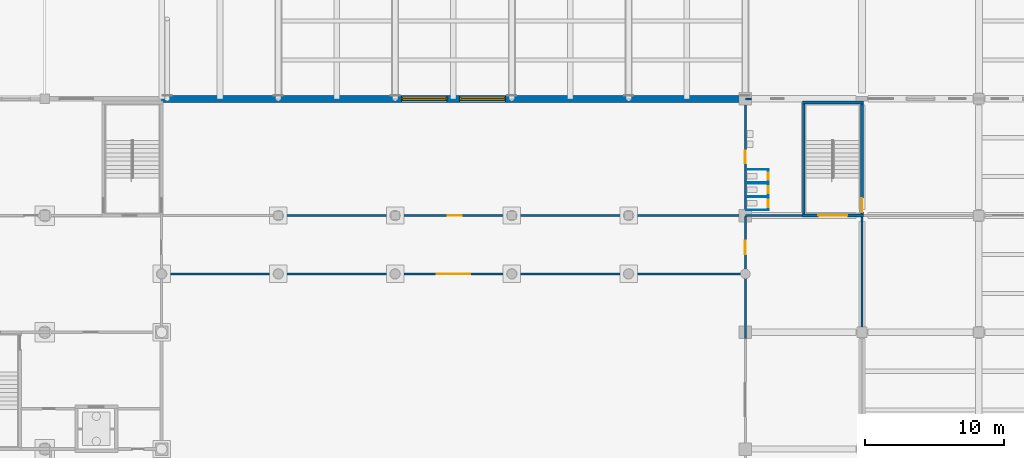
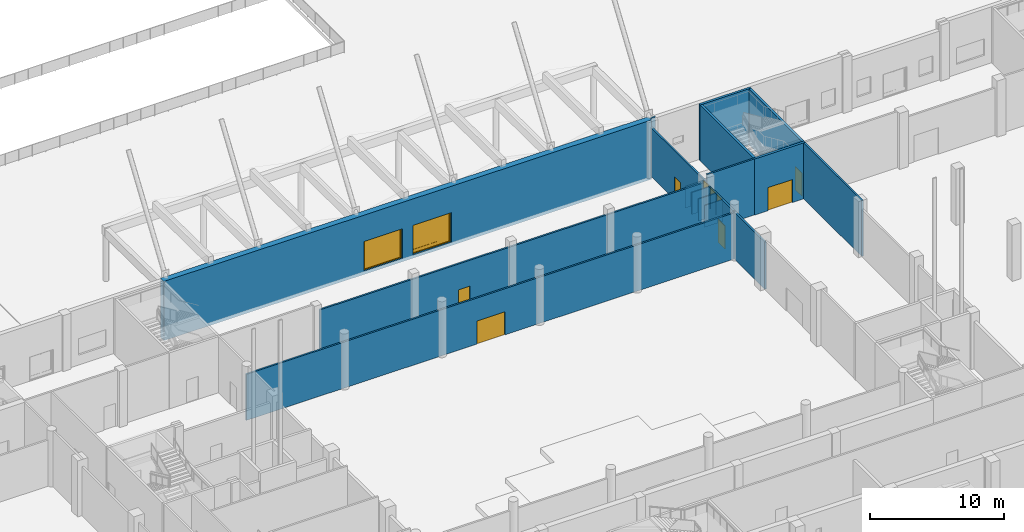
# One storey, part 31 of 74: 22 walls, 11 doors, 11 openings.
"""IFC4 building model written with IfcOpenShell, lengths in metres."""

from ifc_helpers import new_model, si_unit, direction, frame, frame_2d, origin, place, context, subcontext, project, spatial, rectangle, extrude, material, layer, layer_set, type_object, element, fill, save


model = new_model("IFC4")

# Units and contexts
model_context = context("Model", 3, precision=1e-05, world=origin(), true_north=direction((0.0, 1.0)))
body_context = subcontext(model_context, "Body", "Model", "MODEL_VIEW")
ifc_project = project(units=[si_unit("LENGTHUNIT", "METRE"), si_unit("AREAUNIT", "SQUARE_METRE"), si_unit("VOLUMEUNIT", "CUBIC_METRE"), si_unit("PLANEANGLEUNIT", "RADIAN"), si_unit("MASSUNIT", "GRAM", prefix="KILO")], contexts=[model_context])

# Site, building, storey
site_placement = place(None, origin())
site = spatial("IfcSite", under=ifc_project, at=site_placement, CompositionType="ELEMENT")
building_placement = place(site_placement, origin())
building = spatial("IfcBuilding", under=site, at=building_placement, Name="Rulbaag Community and Learning Centre", CompositionType="ELEMENT")
storey_placement = place(building_placement, origin())
storey = spatial("IfcBuildingStorey", under=building, at=storey_placement, Name="L00", CompositionType="ELEMENT", Elevation=0.0)

# Walls
ifc_material_1 = material(Name="High pressure laminate", Category="wood")
ifc_layer_1 = layer(ifc_material_1, 0.0400390625)
ifc_layer_set_1 = layer_set([ifc_layer_1], Name="CP-40")
wall_type_1 = type_object("IfcWallType", Name="CP-40", PredefinedType="PARTITIONING", material=ifc_layer_set_1)
for number, where, z_axis, x_axis, name in (
    (1, (84.074951171875, 42.39990234375, 0.0), (0.0, 0.0, 1.0), (1.0, 0.0, 0.0), "Cubicle partition"),
    (2, (84.074951171875, 43.340087890625, 0.0), (0.0, 0.0, 1.0), (1.0, 0.0, 0.0), "Cubicle partition"),
):
    element("IfcWall", number, at=place(storey_placement, frame(where, z_axis=z_axis, x_axis=x_axis)), inside=storey, type_object=wall_type_1, Name=name, PredefinedType="PARTITIONING", context=body_context, shape_type="SweptSolid", body=[
        extrude(rectangle(XDim=1.594970703125, YDim=0.0400390625, at=frame_2d((0.79736328125, 0.0))), origin(), (0.0, 0.0, 1.0), 2.0),
    ])

# Wall, opening, door
wall_1_placement = place(storey_placement, frame((85.64990234375, 42.419921875, 0.0), z_axis=(0.0, 0.0, 1.0), x_axis=(0.0, 1.0, 0.0)))
wall_1 = element("IfcWall", 3, at=wall_1_placement, inside=storey, type_object=wall_type_1, Name="Cubicle partition", PredefinedType="PARTITIONING", context=body_context, shape_type="SweptSolid", body=[
    extrude(rectangle(XDim=0.900146484375, YDim=0.0400390625, at=frame_2d((0.4501953125, 0.0))), origin(), (0.0, 0.0, 1.0), 2.0),
])
opening_1_placement = place(wall_1_placement, frame((0.050048828125, 0.0, 0.0)))
opening_1 = element("IfcOpeningElement", 4, at=opening_1_placement, cuts=wall_1, Name="Opening L00-D081", PredefinedType="OPENING", context=body_context, shape_type="SweptSolid", body=[
    extrude(rectangle(XDim=0.800048828125, YDim=2.0, at=frame_2d((0.39990234375, 1.0))), frame((0.0, 0.030029296875, 0.0), z_axis=(0.0, -1.0, 0.0), x_axis=(1.0, 0.0, 0.0)), (0.0, 0.0, 1.0), 0.06005859375),
])
door_type_1 = type_object("IfcDoorType", Name="DC-80", OperationType="SINGLE_SWING_LEFT", PredefinedType="DOOR", material=ifc_material_1)
door_1_placement = place(opening_1_placement, origin())
door_1 = element("IfcDoor", 5, at=door_1_placement, inside=storey, type_object=door_type_1, Name="Cubicle door", OperationType="SINGLE_SWING_LEFT", OverallHeight=2.0, OverallWidth=0.800048828125, PredefinedType="DOOR", context=body_context, shape_type="SweptSolid", body=[
    extrude(rectangle(XDim=0.800048828125, YDim=2.0, at=frame_2d((0.39990234375, 1.0))), frame((0.0, 0.019775390625, 0.0), z_axis=(0.0, -1.0, 0.0), x_axis=(1.0, 0.0, 0.0)), (0.0, 0.0, 1.0), 0.03955078125),
])
fill(opening_1, door_1)

# Walls
for number, where, z_axis, x_axis, name in (
    (6, (84.074951171875, 43.3798828125, 0.0), (0.0, 0.0, 1.0), (1.0, 0.0, 0.0), "Cubicle partition"),
    (7, (84.074951171875, 44.320068359375, 0.0), (0.0, 0.0, 1.0), (1.0, 0.0, 0.0), "Cubicle partition"),
):
    element("IfcWall", number, at=place(storey_placement, frame(where, z_axis=z_axis, x_axis=x_axis)), inside=storey, type_object=wall_type_1, Name=name, PredefinedType="PARTITIONING", context=body_context, shape_type="SweptSolid", body=[
        extrude(rectangle(XDim=1.594970703125, YDim=0.0400390625, at=frame_2d((0.79736328125, 0.0))), origin(), (0.0, 0.0, 1.0), 2.0),
    ])

# Wall, opening, door
wall_2_placement = place(storey_placement, frame((85.64990234375, 43.39990234375, 0.0), z_axis=(0.0, 0.0, 1.0), x_axis=(0.0, 1.0, 0.0)))
wall_2 = element("IfcWall", 8, at=wall_2_placement, inside=storey, type_object=wall_type_1, Name="Cubicle partition", PredefinedType="PARTITIONING", context=body_context, shape_type="SweptSolid", body=[
    extrude(rectangle(XDim=0.900146484375, YDim=0.0400390625, at=frame_2d((0.4501953125, 0.0))), origin(), (0.0, 0.0, 1.0), 2.0),
])
opening_2_placement = place(wall_2_placement, frame((0.050048828125, 0.0, 0.0)))
opening_2 = element("IfcOpeningElement", 9, at=opening_2_placement, cuts=wall_2, Name="Opening L00-D082", PredefinedType="OPENING", context=body_context, shape_type="SweptSolid", body=[
    extrude(rectangle(XDim=0.800048828125, YDim=2.0, at=frame_2d((0.39990234375, 1.0))), frame((0.0, 0.030029296875, 0.0), z_axis=(0.0, -1.0, 0.0), x_axis=(1.0, 0.0, 0.0)), (0.0, 0.0, 1.0), 0.06005859375),
])
door_2_placement = place(opening_2_placement, origin())
door_2 = element("IfcDoor", 10, at=door_2_placement, inside=storey, type_object=door_type_1, Name="Cubicle door", OperationType="SINGLE_SWING_LEFT", OverallHeight=2.0, OverallWidth=0.800048828125, PredefinedType="DOOR", context=body_context, shape_type="SweptSolid", body=[
    extrude(rectangle(XDim=0.800048828125, YDim=2.0, at=frame_2d((0.39990234375, 1.0))), frame((0.0, 0.019775390625, 0.0), z_axis=(0.0, -1.0, 0.0), x_axis=(1.0, 0.0, 0.0)), (0.0, 0.0, 1.0), 0.03955078125),
])
fill(opening_2, door_2)

# Walls
for number, where, z_axis, x_axis, name in (
    (11, (84.074951171875, 44.360107421875, 0.0), (0.0, 0.0, 1.0), (1.0, 0.0, 0.0), "Cubicle partition"),
    (12, (84.074951171875, 45.300048828125, 0.0), (0.0, 0.0, 1.0), (1.0, 0.0, 0.0), "Cubicle partition"),
):
    element("IfcWall", number, at=place(storey_placement, frame(where, z_axis=z_axis, x_axis=x_axis)), inside=storey, type_object=wall_type_1, Name=name, PredefinedType="PARTITIONING", context=body_context, shape_type="SweptSolid", body=[
        extrude(rectangle(XDim=1.594970703125, YDim=0.0400390625, at=frame_2d((0.79736328125, 0.0))), origin(), (0.0, 0.0, 1.0), 2.0),
    ])

# Wall, opening, door
wall_3_placement = place(storey_placement, frame((85.64990234375, 44.3798828125, 0.0), z_axis=(0.0, 0.0, 1.0), x_axis=(0.0, 1.0, 0.0)))
wall_3 = element("IfcWall", 13, at=wall_3_placement, inside=storey, type_object=wall_type_1, Name="Cubicle partition", PredefinedType="PARTITIONING", context=body_context, shape_type="SweptSolid", body=[
    extrude(rectangle(XDim=0.900146484375, YDim=0.0400390625, at=frame_2d((0.4501953125, 0.0))), origin(), (0.0, 0.0, 1.0), 2.0),
])
opening_3_placement = place(wall_3_placement, frame((0.050048828125, 0.0, 0.0)))
opening_3 = element("IfcOpeningElement", 14, at=opening_3_placement, cuts=wall_3, Name="Opening L00-D083", PredefinedType="OPENING", context=body_context, shape_type="SweptSolid", body=[
    extrude(rectangle(XDim=0.800048828125, YDim=2.0, at=frame_2d((0.39990234375, 1.0))), frame((0.0, 0.030029296875, 0.0), z_axis=(0.0, -1.0, 0.0), x_axis=(1.0, 0.0, 0.0)), (0.0, 0.0, 1.0), 0.06005859375),
])
door_3_placement = place(opening_3_placement, origin())
door_3 = element("IfcDoor", 15, at=door_3_placement, inside=storey, type_object=door_type_1, Name="Cubicle door", OperationType="SINGLE_SWING_LEFT", OverallHeight=2.0, OverallWidth=0.800048828125, PredefinedType="DOOR", context=body_context, shape_type="SweptSolid", body=[
    extrude(rectangle(XDim=0.800048828125, YDim=2.0, at=frame_2d((0.39990234375, 1.0))), frame((0.0, 0.019775390625, 0.0), z_axis=(0.0, -1.0, 0.0), x_axis=(1.0, 0.0, 0.0)), (0.0, 0.0, 1.0), 0.03955078125),
])
fill(opening_3, door_3)

ifc_material_2 = material(Name="Concrete blockwork", Category="masonry")
ifc_layer_2 = layer(ifc_material_2, 0.14990234375)
ifc_layer_set_2 = layer_set([ifc_layer_2], Name="IP-150 PARTITION 150")
wall_type_2 = type_object("IfcWallType", Name="IP-150 PARTITION 150", PredefinedType="PARTITIONING", material=ifc_layer_set_2)
wall_4_placement = place(storey_placement, frame((41.925048828125, 37.800048828125, 0.0), z_axis=(0.0, 0.0, 1.0), x_axis=(1.0, 0.0, 0.0)))
wall_4 = element("IfcWall", 16, at=wall_4_placement, inside=storey, type_object=wall_type_2, Name="Partition L00 27", PredefinedType="PARTITIONING", context=body_context, shape_type="SweptSolid", body=[
    extrude(rectangle(XDim=42.14990234375, YDim=0.14990234375, at=frame_2d((21.074951171875, 0.0))), origin(), (0.0, 0.0, 1.0), 4.199951171875),
])
opening_4_placement = place(wall_4_placement, frame((19.875, 0.0, 0.0)))
opening_4 = element("IfcOpeningElement", 17, at=opening_4_placement, cuts=wall_4, Name="Opening L00-D069", PredefinedType="OPENING", context=body_context, shape_type="SweptSolid", body=[
    extrude(rectangle(XDim=2.39990234375, YDim=2.10009765625, at=frame_2d((1.199951171875, 1.050048828125))), frame((0.0, 0.0849609375, 0.0), z_axis=(0.0, -1.0, 0.0), x_axis=(1.0, 0.0, 0.0)), (0.0, 0.0, 1.0), 0.169921875),
])
ifc_material_3 = material(Name="Timber", Category="wood")
door_type_2 = type_object("IfcDoorType", Name="DA-2400 ASSEMBLY DOUBLE DOOR 2400 x 2100", OperationType="DOUBLE_DOOR_SINGLE_SWING", PredefinedType="DOOR", material=ifc_material_3)
door_4_placement = place(opening_4_placement, origin())
door_4 = element("IfcDoor", 18, at=door_4_placement, inside=storey, type_object=door_type_2, Name="Door L00-D069", OperationType="DOUBLE_DOOR_SINGLE_SWING", OverallHeight=2.10009765625, OverallWidth=2.39990234375, PredefinedType="DOOR", context=body_context, shape_type="SweptSolid", body=[
    extrude(rectangle(XDim=2.39990234375, YDim=2.10009765625, at=frame_2d((1.199951171875, 1.050048828125))), frame((0.0, 0.02490234375, 0.0), z_axis=(0.0, -1.0, 0.0), x_axis=(1.0, 0.0, 0.0)), (0.0, 0.0, 1.0), 0.050048828125),
])
fill(opening_4, door_4)

wall_5_placement = place(storey_placement, frame((50.679931640625, 42.0, 0.0), z_axis=(0.0, 0.0, 1.0), x_axis=(1.0, 0.0, 0.0)))
wall_5 = element("IfcWall", 19, at=wall_5_placement, inside=storey, type_object=wall_type_2, Name="Partition L00 29.2", PredefinedType="PARTITIONING", context=body_context, shape_type="SweptSolid", body=[
    extrude(rectangle(XDim=33.320068359375, YDim=0.14990234375, at=frame_2d((16.66015625, 0.0))), origin(), (0.0, 0.0, 1.0), 4.449951171875),
])
opening_5_placement = place(wall_5_placement, frame((11.919921875, 0.0, 0.0)))
opening_5 = element("IfcOpeningElement", 20, at=opening_5_placement, cuts=wall_5, Name="Opening L00-D071", PredefinedType="OPENING", context=body_context, shape_type="SweptSolid", body=[
    extrude(rectangle(XDim=1.0, YDim=2.10009765625, at=frame_2d((0.5, 1.050048828125))), frame((0.0, 0.0849609375, 0.0), z_axis=(0.0, -1.0, 0.0), x_axis=(1.0, 0.0, 0.0)), (0.0, 0.0, 1.0), 0.169921875),
])
door_type_3 = type_object("IfcDoorType", Name="D-1000 DOOR 1000 x 2100", OperationType="SINGLE_SWING_LEFT", PredefinedType="DOOR", material=ifc_material_3)
door_5_placement = place(opening_5_placement, origin())
door_5 = element("IfcDoor", 21, at=door_5_placement, inside=storey, type_object=door_type_3, Name="Door L00-D071", OperationType="SINGLE_SWING_LEFT", OverallHeight=2.10009765625, OverallWidth=1.0, PredefinedType="DOOR", context=body_context, shape_type="SweptSolid", body=[
    extrude(rectangle(XDim=1.0, YDim=2.10009765625, at=frame_2d((0.5, 1.050048828125))), frame((0.0, 0.02490234375, 0.0), z_axis=(0.0, -1.0, 0.0), x_axis=(1.0, 0.0, 0.0)), (0.0, 0.0, 1.0), 0.050048828125),
])
fill(opening_5, door_5)

# Walls
wall_6_placement = place(storey_placement, frame((84.0, 42.0, 0.0), z_axis=(0.0, 0.0, 1.0), x_axis=(1.0, 0.0, 0.0)))
element("IfcWall", 22, at=wall_6_placement, inside=storey, type_object=wall_type_2, Name="Partition L00 30", PredefinedType="PARTITIONING", context=body_context, shape_type="SweptSolid", body=[
    extrude(rectangle(XDim=4.10009765625, YDim=0.14990234375, at=frame_2d((2.050048828125, 0.0))), origin(), (0.0, 0.0, 1.0), 5.10009765625),
])
wall_7_placement = place(storey_placement, frame((84.0, 50.39990234375, 0.0), z_axis=(0.0, 0.0, 1.0), x_axis=(1.0, 0.0, 0.0)))
element("IfcWall", 23, at=wall_7_placement, inside=storey, type_object=wall_type_2, Name="Partition L00 37", PredefinedType="PARTITIONING", context=body_context, shape_type="SweptSolid", body=[
    extrude(rectangle(XDim=0.449951171875, YDim=0.14990234375, at=frame_2d((0.22509765625, 0.0))), origin(), (0.0, 0.0, 1.0), 5.10009765625),
])
wall_8_placement = place(storey_placement, frame((84.0, 33.169921875, 0.0), z_axis=(0.0, 0.0, 1.0), x_axis=(0.0, 1.0, 0.0)))
element("IfcWall", 24, at=wall_8_placement, inside=storey, type_object=wall_type_2, Name="Partition L00 74.3", PredefinedType="PARTITIONING", context=body_context, shape_type="SweptSolid", body=[
    extrude(rectangle(XDim=4.55517578125, YDim=0.14990234375, at=frame_2d((2.277587890625, 0.0))), origin(), (0.0, 0.0, 1.0), 4.300048828125),
])

# Wall, opening, door
wall_9_placement = place(storey_placement, frame((84.0, 37.875, 0.0), z_axis=(0.0, 0.0, 1.0), x_axis=(0.0, 1.0, 0.0)))
wall_9 = element("IfcWall", 25, at=wall_9_placement, inside=storey, type_object=wall_type_2, Name="Partition L00 75", PredefinedType="PARTITIONING", context=body_context, shape_type="SweptSolid", body=[
    extrude(rectangle(XDim=4.050048828125, YDim=0.14990234375, at=frame_2d((2.02490234375, 0.0))), origin(), (0.0, 0.0, 1.0), 4.300048828125),
])
opening_6_placement = place(wall_9_placement, frame((1.324951171875, 0.0, 0.0)))
opening_6 = element("IfcOpeningElement", 26, at=opening_6_placement, cuts=wall_9, Name="Opening L00-D079", PredefinedType="OPENING", context=body_context, shape_type="SweptSolid", body=[
    extrude(rectangle(XDim=1.0, YDim=2.10009765625, at=frame_2d((0.5, 1.050048828125))), frame((0.0, 0.0849609375, 0.0), z_axis=(0.0, -1.0, 0.0), x_axis=(1.0, 0.0, 0.0)), (0.0, 0.0, 1.0), 0.169921875),
])
door_6_placement = place(opening_6_placement, origin())
door_6 = element("IfcDoor", 27, at=door_6_placement, inside=storey, type_object=door_type_3, Name="Door L00-D079", OperationType="SINGLE_SWING_LEFT", OverallHeight=2.10009765625, OverallWidth=1.0, PredefinedType="DOOR", context=body_context, shape_type="SweptSolid", body=[
    extrude(rectangle(XDim=1.0, YDim=2.10009765625, at=frame_2d((0.5, 1.050048828125))), frame((0.0, 0.02490234375, 0.0), z_axis=(0.0, -1.0, 0.0), x_axis=(1.0, 0.0, 0.0)), (0.0, 0.0, 1.0), 0.050048828125),
])
fill(opening_6, door_6)

wall_10_placement = place(storey_placement, frame((84.0, 42.074951171875, 0.0), z_axis=(0.0, 0.0, 1.0), x_axis=(0.0, 1.0, 0.0)))
wall_10 = element("IfcWall", 28, at=wall_10_placement, inside=storey, type_object=wall_type_2, Name="Partition L00 76", PredefinedType="PARTITIONING", context=body_context, shape_type="SweptSolid", body=[
    extrude(rectangle(XDim=8.074951171875, YDim=0.14990234375, at=frame_2d((4.03759765625, 0.0))), origin(), (0.0, 0.0, 1.0), 4.449951171875),
])
opening_7_placement = place(wall_10_placement, frame((3.675048828125, 0.0, 0.0)))
opening_7 = element("IfcOpeningElement", 29, at=opening_7_placement, cuts=wall_10, Name="Opening L00-D080", PredefinedType="OPENING", context=body_context, shape_type="SweptSolid", body=[
    extrude(rectangle(XDim=0.89990234375, YDim=2.10009765625, at=frame_2d((0.449951171875, 1.050048828125))), frame((0.0, 0.0849609375, 0.0), z_axis=(0.0, -1.0, 0.0), x_axis=(1.0, 0.0, 0.0)), (0.0, 0.0, 1.0), 0.169921875),
])
door_type_4 = type_object("IfcDoorType", Name="DW-900 TOILET DOOR 900 x 2100", OperationType="SINGLE_SWING_LEFT", PredefinedType="DOOR", material=ifc_material_3)
door_7_placement = place(opening_7_placement, origin())
door_7 = element("IfcDoor", 30, at=door_7_placement, inside=storey, type_object=door_type_4, Name="Door L00-D080", OperationType="SINGLE_SWING_RIGHT", OverallHeight=2.10009765625, OverallWidth=0.89990234375, PredefinedType="DOOR", context=body_context, shape_type="SweptSolid", body=[
    extrude(rectangle(XDim=0.89990234375, YDim=2.10009765625, at=frame_2d((0.449951171875, 1.050048828125))), frame((0.0, 0.02490234375, 0.0), z_axis=(0.0, -1.0, 0.0), x_axis=(1.0, 0.0, 0.0)), (0.0, 0.0, 1.0), 0.050048828125),
])
fill(opening_7, door_7)

# Wall
wall_11_placement = place(storey_placement, frame((92.39990234375, 33.2451171875, 0.0), z_axis=(0.0, 0.0, 1.0), x_axis=(0.0, 1.0, 0.0)))
element("IfcWall", 31, at=wall_11_placement, inside=storey, type_object=wall_type_2, Name="Partition L00 81.2", PredefinedType="PARTITIONING", context=body_context, shape_type="SweptSolid", body=[
    extrude(rectangle(XDim=8.85498046875, YDim=0.14990234375, at=frame_2d((4.427490234375, 0.0))), origin(), (0.0, 0.0, 1.0), 5.10009765625),
])

# Wall, openings, doors
ifc_material_4 = material(Name="Concrete M40", Category="concrete")
ifc_layer_3 = layer(ifc_material_4, 0.5)
ifc_layer_set_3 = layer_set([ifc_layer_3], Name="W13 Shear wall 500 Concrete M40")
wall_type_3 = type_object("IfcWallType", Name="W13 Shear wall 500 Concrete M40", PredefinedType="SHEAR", material=ifc_layer_set_3)
wall_12_placement = place(storey_placement, frame((42.0, 50.39990234375, -0.300048828125), z_axis=(0.0, 0.0, 1.0), x_axis=(1.0, 0.0, 0.0)))
wall_12 = element("IfcWall", 32, at=wall_12_placement, inside=storey, type_object=wall_type_3, Name="WL-XMN-L00", PredefinedType="SHEAR", context=body_context, shape_type="SweptSolid", body=[
    extrude(rectangle(XDim=42.0, YDim=0.5, at=frame_2d((21.0, 0.0))), origin(), (0.0, 0.0, 1.0), 5.400146484375),
])
opening_8_placement = place(wall_12_placement, frame((17.25, 0.0, 0.300048828125)))
opening_8 = element("IfcOpeningElement", 33, at=opening_8_placement, cuts=wall_12, Name="Opening L00-D067", PredefinedType="OPENING", context=body_context, shape_type="SweptSolid", body=[
    extrude(rectangle(XDim=3.300048828125, YDim=2.699951171875, at=frame_2d((1.64990234375, 1.35009765625))), frame((0.0, 0.260009765625, 0.0), z_axis=(0.0, -1.0, 0.0), x_axis=(1.0, 0.0, 0.0)), (0.0, 0.0, 1.0), 0.52001953125),
])
opening_9_placement = place(wall_12_placement, frame((21.449951171875, 0.0, 0.300048828125)))
opening_9 = element("IfcOpeningElement", 34, at=opening_9_placement, cuts=wall_12, Name="Opening L00-D073", PredefinedType="OPENING", context=body_context, shape_type="SweptSolid", body=[
    extrude(rectangle(XDim=3.300048828125, YDim=2.699951171875, at=frame_2d((1.64990234375, 1.35009765625))), frame((0.0, 0.260009765625, 0.0), z_axis=(0.0, -1.0, 0.0), x_axis=(1.0, 0.0, 0.0)), (0.0, 0.0, 1.0), 0.52001953125),
])
ifc_material_5 = material(Name="Aluminium", Category="aluminium")
door_type_5 = type_object("IfcDoorType", Name="DE-33T", OperationType="DOUBLE_DOOR_SINGLE_SWING", PredefinedType="DOOR", material=ifc_material_5)
door_8_placement = place(opening_8_placement, origin())
door_8 = element("IfcDoor", 35, at=door_8_placement, inside=storey, type_object=door_type_5, Name="Main entrance E3", OperationType="SINGLE_SWING_LEFT", OverallHeight=2.699951171875, OverallWidth=3.300048828125, PredefinedType="DOOR", context=body_context, shape_type="SweptSolid", body=[
    extrude(rectangle(XDim=3.300048828125, YDim=0.012939453125, at=frame_2d((1.64990234375, 0.006591796875))), frame((0.0, 0.114990234375, 0.0), z_axis=(0.0, -1.0, 0.0), x_axis=(1.0, 0.0, 0.0)), (0.0, 0.0, 1.0), 0.22998046875),
    extrude(rectangle(XDim=0.074951171875, YDim=2.612060546875, at=frame_2d((0.03759765625, 1.319091796875))), frame((0.0, 0.125, 0.0), z_axis=(0.0, -1.0, 0.0), x_axis=(1.0, 0.0, 0.0)), (0.0, 0.0, 1.0), 0.25),
    extrude(rectangle(XDim=0.074951171875, YDim=2.612060546875, at=frame_2d((3.2626953125, 1.319091796875))), frame((0.0, 0.125, 0.0), z_axis=(0.0, -1.0, 0.0), x_axis=(1.0, 0.0, 0.0)), (0.0, 0.0, 1.0), 0.25),
    extrude(rectangle(XDim=3.300048828125, YDim=0.074951171875, at=frame_2d((1.64990234375, 2.66259765625))), frame((0.0, 0.114990234375, 0.0), z_axis=(0.0, -1.0, 0.0), x_axis=(1.0, 0.0, 0.0)), (0.0, 0.0, 1.0), 0.22998046875),
    extrude(rectangle(XDim=3.150146484375, YDim=0.300048828125, at=frame_2d((1.64990234375, 0.1630859375))), frame((0.0, 0.02001953125, 0.0), z_axis=(0.0, -1.0, 0.0), x_axis=(1.0, 0.0, 0.0)), (0.0, 0.0, 1.0), 0.0400390625),
    extrude(rectangle(XDim=3.150146484375, YDim=0.1201171875, at=frame_2d((1.64990234375, 2.56494140625))), frame((0.0, 0.02001953125, 0.0), z_axis=(0.0, -1.0, 0.0), x_axis=(1.0, 0.0, 0.0)), (0.0, 0.0, 1.0), 0.0400390625),
    extrude(rectangle(XDim=0.090087890625, YDim=2.19189453125, at=frame_2d((0.119873046875, 1.408935546875))), frame((0.0, 0.02490234375, 0.0), z_axis=(0.0, -1.0, 0.0), x_axis=(1.0, 0.0, 0.0)), (0.0, 0.0, 1.0), 0.050048828125),
    extrude(rectangle(XDim=0.179931640625, YDim=2.19189453125, at=frame_2d((1.64990234375, 1.408935546875))), frame((0.0, 0.02490234375, 0.0), z_axis=(0.0, -1.0, 0.0), x_axis=(1.0, 0.0, 0.0)), (0.0, 0.0, 1.0), 0.050048828125),
    extrude(rectangle(XDim=0.090087890625, YDim=2.19189453125, at=frame_2d((3.18017578125, 1.408935546875))), frame((0.0, 0.02490234375, 0.0), z_axis=(0.0, -1.0, 0.0), x_axis=(1.0, 0.0, 0.0)), (0.0, 0.0, 1.0), 0.050048828125),
    extrude(rectangle(XDim=1.39501953125, YDim=2.19189453125, at=frame_2d((0.862548828125, 1.408935546875))), frame((0.0, 0.011962890625, 0.0), z_axis=(0.0, -1.0, 0.0), x_axis=(1.0, 0.0, 0.0)), (0.0, 0.0, 1.0), 0.02392578125),
    extrude(rectangle(XDim=1.39501953125, YDim=2.19189453125, at=frame_2d((2.4375, 1.408935546875))), frame((0.0, 0.011962890625, 0.0), z_axis=(0.0, -1.0, 0.0), x_axis=(1.0, 0.0, 0.0)), (0.0, 0.0, 1.0), 0.02392578125),
])
fill(opening_8, door_8)
door_9_placement = place(opening_9_placement, origin())
door_9 = element("IfcDoor", 36, at=door_9_placement, inside=storey, type_object=door_type_5, Name="Main entrance E4", OperationType="SINGLE_SWING_LEFT", OverallHeight=2.699951171875, OverallWidth=3.300048828125, PredefinedType="DOOR", context=body_context, shape_type="SweptSolid", body=[
    extrude(rectangle(XDim=3.300048828125, YDim=0.012939453125, at=frame_2d((1.64990234375, 0.006591796875))), frame((0.0, 0.114990234375, 0.0), z_axis=(0.0, -1.0, 0.0), x_axis=(1.0, 0.0, 0.0)), (0.0, 0.0, 1.0), 0.22998046875),
    extrude(rectangle(XDim=0.074951171875, YDim=2.612060546875, at=frame_2d((0.03759765625, 1.319091796875))), frame((0.0, 0.125, 0.0), z_axis=(0.0, -1.0, 0.0), x_axis=(1.0, 0.0, 0.0)), (0.0, 0.0, 1.0), 0.25),
    extrude(rectangle(XDim=0.074951171875, YDim=2.612060546875, at=frame_2d((3.2626953125, 1.319091796875))), frame((0.0, 0.125, 0.0), z_axis=(0.0, -1.0, 0.0), x_axis=(1.0, 0.0, 0.0)), (0.0, 0.0, 1.0), 0.25),
    extrude(rectangle(XDim=3.300048828125, YDim=0.074951171875, at=frame_2d((1.64990234375, 2.66259765625))), frame((0.0, 0.114990234375, 0.0), z_axis=(0.0, -1.0, 0.0), x_axis=(1.0, 0.0, 0.0)), (0.0, 0.0, 1.0), 0.22998046875),
    extrude(rectangle(XDim=3.150146484375, YDim=0.300048828125, at=frame_2d((1.64990234375, 0.1630859375))), frame((0.0, 0.02001953125, 0.0), z_axis=(0.0, -1.0, 0.0), x_axis=(1.0, 0.0, 0.0)), (0.0, 0.0, 1.0), 0.0400390625),
    extrude(rectangle(XDim=3.150146484375, YDim=0.1201171875, at=frame_2d((1.64990234375, 2.56494140625))), frame((0.0, 0.02001953125, 0.0), z_axis=(0.0, -1.0, 0.0), x_axis=(1.0, 0.0, 0.0)), (0.0, 0.0, 1.0), 0.0400390625),
    extrude(rectangle(XDim=0.090087890625, YDim=2.19189453125, at=frame_2d((0.119873046875, 1.408935546875))), frame((0.0, 0.02490234375, 0.0), z_axis=(0.0, -1.0, 0.0), x_axis=(1.0, 0.0, 0.0)), (0.0, 0.0, 1.0), 0.050048828125),
    extrude(rectangle(XDim=0.179931640625, YDim=2.19189453125, at=frame_2d((1.64990234375, 1.408935546875))), frame((0.0, 0.02490234375, 0.0), z_axis=(0.0, -1.0, 0.0), x_axis=(1.0, 0.0, 0.0)), (0.0, 0.0, 1.0), 0.050048828125),
    extrude(rectangle(XDim=0.090087890625, YDim=2.19189453125, at=frame_2d((3.18017578125, 1.408935546875))), frame((0.0, 0.02490234375, 0.0), z_axis=(0.0, -1.0, 0.0), x_axis=(1.0, 0.0, 0.0)), (0.0, 0.0, 1.0), 0.050048828125),
    extrude(rectangle(XDim=1.39501953125, YDim=2.19189453125, at=frame_2d((0.862548828125, 1.408935546875))), frame((0.0, 0.011962890625, 0.0), z_axis=(0.0, -1.0, 0.0), x_axis=(1.0, 0.0, 0.0)), (0.0, 0.0, 1.0), 0.02392578125),
    extrude(rectangle(XDim=1.39501953125, YDim=2.19189453125, at=frame_2d((2.4375, 1.408935546875))), frame((0.0, 0.011962890625, 0.0), z_axis=(0.0, -1.0, 0.0), x_axis=(1.0, 0.0, 0.0)), (0.0, 0.0, 1.0), 0.02392578125),
])
fill(opening_9, door_9)

# Wall, opening, door
ifc_layer_4 = layer(ifc_material_4, 0.199951171875)
ifc_layer_set_4 = layer_set([ifc_layer_4], Name="WSE Stair enclosure wall 200 Concrete M40")
wall_type_4 = type_object("IfcWallType", Name="WSE Stair enclosure wall 200 Concrete M40", PredefinedType="SHEAR", material=ifc_layer_set_4)
wall_13_placement = place(storey_placement, frame((88.10009765625, 42.0, 0.0), z_axis=(0.0, 0.0, 1.0), x_axis=(1.0, 0.0, 0.0)))
wall_13 = element("IfcWall", 37, at=wall_13_placement, inside=storey, type_object=wall_type_4, Name="Stair enclosure wall SH6 S L00", PredefinedType="SHEAR", context=body_context, shape_type="SweptSolid", body=[
    extrude(rectangle(XDim=4.39990234375, YDim=0.199951171875, at=frame_2d((2.199951171875, 0.0))), origin(), (0.0, 0.0, 1.0), 5.10009765625),
])
opening_10_placement = place(wall_13_placement, frame((1.14990234375, 0.0, 0.0)))
opening_10 = element("IfcOpeningElement", 38, at=opening_10_placement, cuts=wall_13, Name="Opening L00-D087", PredefinedType="OPENING", context=body_context, shape_type="SweptSolid", body=[
    extrude(rectangle(XDim=2.10009765625, YDim=2.10009765625, at=frame_2d((1.050048828125, 1.050048828125))), frame((0.0, 0.10986328125, 0.0), z_axis=(0.0, -1.0, 0.0), x_axis=(1.0, 0.0, 0.0)), (0.0, 0.0, 1.0), 0.219970703125),
])
ifc_material_6 = material(Name="Galvanised steel", Category="steel")
door_type_6 = type_object("IfcDoorType", Name="FD-2100 FIRE DOOR 2100 x 2100", OperationType="DOUBLE_DOOR_SINGLE_SWING", PredefinedType="DOOR", material=ifc_material_6)
door_10_placement = place(opening_10_placement, origin())
door_10 = element("IfcDoor", 39, at=door_10_placement, inside=storey, type_object=door_type_6, Name="Door L00-D087", OperationType="DOUBLE_DOOR_SINGLE_SWING", OverallHeight=2.10009765625, OverallWidth=2.10009765625, PredefinedType="DOOR", context=body_context, shape_type="SweptSolid", body=[
    extrude(rectangle(XDim=2.10009765625, YDim=2.10009765625, at=frame_2d((1.050048828125, 1.050048828125))), frame((0.0, 0.02490234375, 0.0), z_axis=(0.0, -1.0, 0.0), x_axis=(1.0, 0.0, 0.0)), (0.0, 0.0, 1.0), 0.050048828125),
])
fill(opening_10, door_10)

# Walls
wall_14_placement = place(storey_placement, frame((88.10009765625, 50.125, 0.0), z_axis=(0.0, 0.0, 1.0), x_axis=(1.0, 0.0, 0.0)))
element("IfcWall", 40, at=wall_14_placement, inside=storey, type_object=wall_type_4, Name="Stair enclosure wall SH6 N L00", PredefinedType="SHEAR", context=body_context, shape_type="SweptSolid", body=[
    extrude(rectangle(XDim=4.39990234375, YDim=0.199951171875, at=frame_2d((2.199951171875, 0.0))), origin(), (0.0, 0.0, 1.0), 5.10009765625),
])
wall_15_placement = place(storey_placement, frame((88.199951171875, 42.10009765625, 0.0), z_axis=(0.0, 0.0, 1.0), x_axis=(0.0, 1.0, 0.0)))
element("IfcWall", 41, at=wall_15_placement, inside=storey, type_object=wall_type_4, Name="Stair enclosure wall SH6 W L00", PredefinedType="SHEAR", context=body_context, shape_type="SweptSolid", body=[
    extrude(rectangle(XDim=7.9248046875, YDim=0.199951171875, at=frame_2d((3.96240234375, 0.0))), origin(), (0.0, 0.0, 1.0), 5.10009765625),
])

# Wall, opening, door
wall_16_placement = place(storey_placement, frame((92.39990234375, 42.10009765625, 0.0), z_axis=(0.0, 0.0, 1.0), x_axis=(0.0, 1.0, 0.0)))
wall_16 = element("IfcWall", 42, at=wall_16_placement, inside=storey, type_object=wall_type_4, Name="Stair enclosure wall SH6 E L00", PredefinedType="SHEAR", context=body_context, shape_type="SweptSolid", body=[
    extrude(rectangle(XDim=7.9248046875, YDim=0.199951171875, at=frame_2d((3.96240234375, 0.0))), origin(), (0.0, 0.0, 1.0), 5.10009765625),
])
opening_11_placement = place(wall_16_placement, frame((0.14990234375, 0.0, 0.0)))
opening_11 = element("IfcOpeningElement", 43, at=opening_11_placement, cuts=wall_16, Name="Opening L00-D090", PredefinedType="OPENING", context=body_context, shape_type="SweptSolid", body=[
    extrude(rectangle(XDim=1.0, YDim=2.10009765625, at=frame_2d((0.5, 1.050048828125))), frame((0.0, 0.10986328125, 0.0), z_axis=(0.0, -1.0, 0.0), x_axis=(1.0, 0.0, 0.0)), (0.0, 0.0, 1.0), 0.219970703125),
])
door_type_7 = type_object("IfcDoorType", Name="FD-1000 FIRE DOOR 1000 x 2100", OperationType="SINGLE_SWING_LEFT", PredefinedType="DOOR", material=ifc_material_6)
door_11_placement = place(opening_11_placement, origin())
door_11 = element("IfcDoor", 44, at=door_11_placement, inside=storey, type_object=door_type_7, Name="Door L00-D090", OperationType="SINGLE_SWING_RIGHT", OverallHeight=2.10009765625, OverallWidth=1.0, PredefinedType="DOOR", context=body_context, shape_type="SweptSolid", body=[
    extrude(rectangle(XDim=1.0, YDim=2.10009765625, at=frame_2d((0.5, 1.050048828125))), frame((0.0, 0.02490234375, 0.0), z_axis=(0.0, -1.0, 0.0), x_axis=(1.0, 0.0, 0.0)), (0.0, 0.0, 1.0), 0.050048828125),
])
fill(opening_11, door_11)

save(model, "model.ifc")
